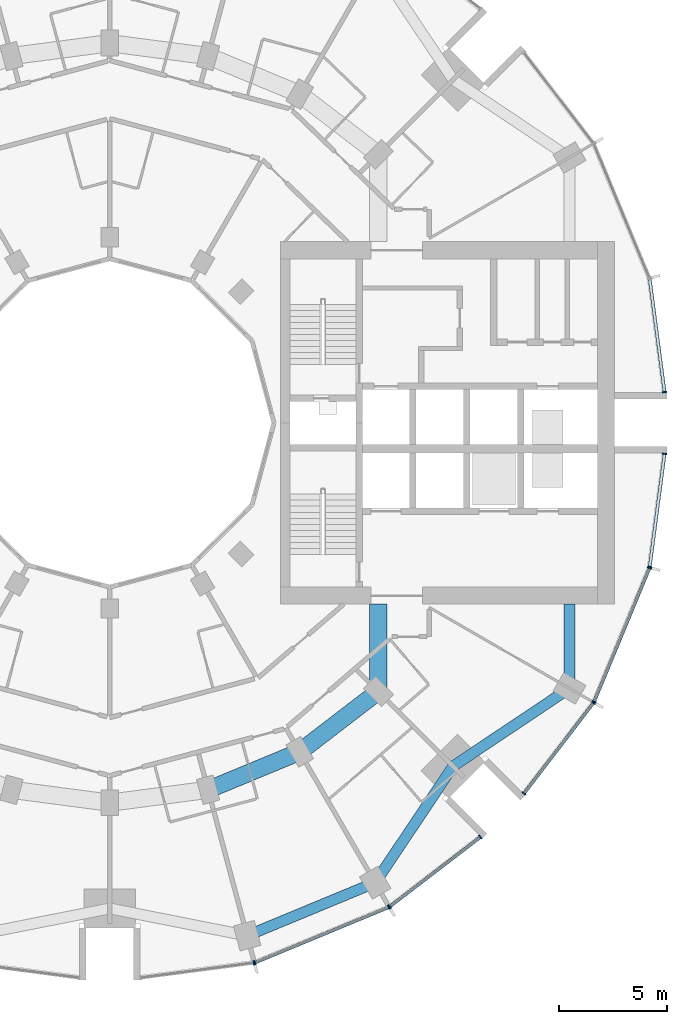
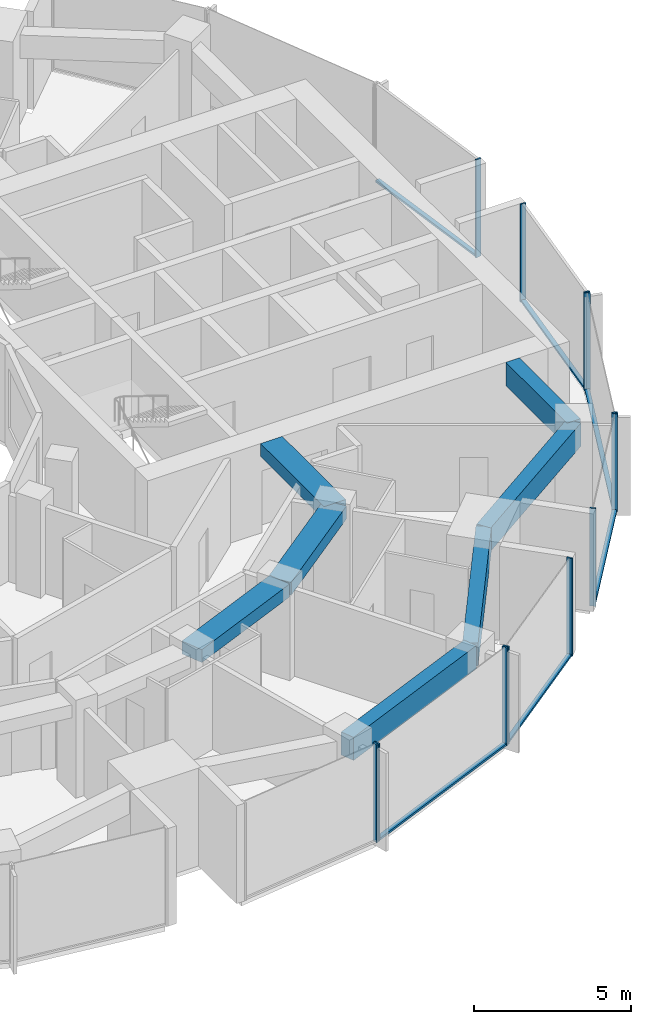
# One storey, part 4 of 15: 18 members, 7 beams, 7 elements without a shape of their own.
"""IFC4 building model written with IfcOpenShell, lengths in metres."""

from ifc_helpers import new_model, si_unit, direction, frame, origin, origin_2d, place, context, subcontext, project, spatial, rectangle, extrude, material, layer, layer_set, material_profile, profile_set, type_object, element, aggregate, save


model = new_model("IFC4")

# Units and contexts
model_context = context("Model", 3, precision=1e-05, world=origin(), true_north=direction((0.0, 1.0)))
body_context = subcontext(model_context, "Body", "Model", "MODEL_VIEW")
ifc_project = project(units=[si_unit("LENGTHUNIT", "METRE"), si_unit("AREAUNIT", "SQUARE_METRE"), si_unit("VOLUMEUNIT", "CUBIC_METRE"), si_unit("PLANEANGLEUNIT", "RADIAN"), si_unit("MASSUNIT", "GRAM", prefix="KILO")], contexts=[model_context])

# Site, building, storey
site_placement = place(None, origin())
site = spatial("IfcSite", under=ifc_project, at=site_placement, CompositionType="ELEMENT")
building_placement = place(site_placement, origin())
building = spatial("IfcBuilding", under=site, at=building_placement, Name="Torre Brocal", CompositionType="ELEMENT")
storey_placement = place(building_placement, frame((0.0, 0.0, 32.60009765625)))
storey = spatial("IfcBuildingStorey", under=building, at=storey_placement, Name="L06", CompositionType="ELEMENT", Elevation=32.60009765625)

# Curtain wall, member
ifc_material_1 = material(Name="Aluminium and glass", Category="aluminium")
ifc_layer_1 = layer(ifc_material_1, 0.199951171875)
ifc_layer_set_1 = layer_set([ifc_layer_1], Name="Aluminium and glass")
curtain_wall_type_1 = type_object("IfcCurtainWallType", Name="CW-1 CURTAIN WALL 3800 HIGH", PredefinedType="NOTDEFINED", material=ifc_layer_set_1)
curtain_wall_1_placement = place(storey_placement, origin())
curtain_wall_1 = element("IfcCurtainWall", 1, at=curtain_wall_1_placement, inside=storey, type_object=curtain_wall_type_1, Name="CW-1 RUN 19", PredefinedType="NOTDEFINED")
ifc_material_2 = material(Name="Aluminium, dark anodised", Category="aluminium")
ifc_material_profile_1 = material_profile(ifc_material_2, rectangle(XDim=0.199951171875, YDim=0.06005859375, at=origin_2d()), Name="CW-1 MULLION 60X200")
ifc_profile_set_1 = profile_set([ifc_material_profile_1], Name="Aluminium, dark anodised")
member_type_1 = type_object("IfcMemberType", Name="CW-1 MULLION 60X200", PredefinedType="MULLION", material=ifc_profile_set_1)
member_1_placement = place(storey_placement, frame((86.67333984375, 49.9794921875, 0.0), z_axis=(0.0, 0.0, 1.0), x_axis=(-0.13052619222, 0.991444861374, 0.0)))
member_1 = element("IfcMember", 2, at=member_1_placement, type_object=member_type_1, Name="CW1-1 mullion 2", PredefinedType="MULLION", context=body_context, shape_type="SweptSolid", body=[
    extrude(rectangle(XDim=0.199951171875, YDim=0.06005859375, at=origin_2d()), origin(), (0.0, 0.0, 1.0), 3.7998046875),
])
aggregate(curtain_wall_1, [member_1])

# Curtain wall, members
curtain_wall_2_placement = place(storey_placement, origin())
curtain_wall_2 = element("IfcCurtainWall", 3, at=curtain_wall_2_placement, inside=storey, type_object=curtain_wall_type_1, Name="CW-1 RUN 20", PredefinedType="NOTDEFINED")
member_2_placement = place(storey_placement, frame((86.73095703125, 49.994873046875, 0.0), z_axis=(0.0, 0.0, 1.0), x_axis=(-0.382683432333, 0.923879532525, 0.0)))
member_2 = element("IfcMember", 4, at=member_2_placement, type_object=member_type_1, Name="CW1-1 mullion 1", PredefinedType="MULLION", context=body_context, shape_type="SweptSolid", body=[
    extrude(rectangle(XDim=0.199951171875, YDim=0.06005859375, at=origin_2d()), origin(), (0.0, 0.0, 1.0), 3.7998046875),
])
member_3_placement = place(storey_placement, frame((92.921875, 52.559326171875, 0.0), z_axis=(0.0, 0.0, 1.0), x_axis=(-0.382683432333, 0.923879532525, 0.0)))
member_3 = element("IfcMember", 5, at=member_3_placement, type_object=member_type_1, Name="CW1-1 mullion 2", PredefinedType="MULLION", context=body_context, shape_type="SweptSolid", body=[
    extrude(rectangle(XDim=0.199951171875, YDim=0.06005859375, at=origin_2d()), origin(), (0.0, 0.0, 1.0), 3.7998046875),
])

curtain_wall_3_placement = place(storey_placement, origin())
curtain_wall_3 = element("IfcCurtainWall", 6, at=curtain_wall_3_placement, inside=storey, type_object=curtain_wall_type_1, Name="CW-1 RUN 21", PredefinedType="NOTDEFINED")
member_4_placement = place(storey_placement, frame((92.973388671875, 52.5888671875, 0.0), z_axis=(0.0, 0.0, 1.0), x_axis=(-0.60876142905, 0.793353340259, 0.0)))
member_4 = element("IfcMember", 7, at=member_4_placement, type_object=member_type_1, Name="CW1-1 mullion 1", PredefinedType="MULLION", context=body_context, shape_type="SweptSolid", body=[
    extrude(rectangle(XDim=0.199951171875, YDim=0.06005859375, at=origin_2d()), origin(), (0.0, 0.0, 1.0), 3.7998046875),
])
member_5_placement = place(storey_placement, frame((97.16943359375, 55.80859375, 0.0), z_axis=(0.0, 0.0, 1.0), x_axis=(-0.60876142905, 0.793353340259, 0.0)))
member_5 = element("IfcMember", 8, at=member_5_placement, type_object=member_type_1, Name="CW1-1 mullion 2", PredefinedType="MULLION", context=body_context, shape_type="SweptSolid", body=[
    extrude(rectangle(XDim=0.199951171875, YDim=0.06005859375, at=origin_2d()), origin(), (0.0, 0.0, 1.0), 3.7998046875),
])

curtain_wall_4_placement = place(storey_placement, origin())
curtain_wall_4 = element("IfcCurtainWall", 9, at=curtain_wall_4_placement, inside=storey, type_object=curtain_wall_type_1, Name="CW-1 RUN 22", PredefinedType="NOTDEFINED")
member_6_placement = place(storey_placement, frame((99.19140625, 57.83056640625, 0.0), z_axis=(0.0, 0.0, 1.0), x_axis=(-0.793353340259, 0.60876142905, 0.0)))
member_6 = element("IfcMember", 10, at=member_6_placement, type_object=member_type_1, Name="CW1-1 mullion 1", PredefinedType="MULLION", context=body_context, shape_type="SweptSolid", body=[
    extrude(rectangle(XDim=0.199951171875, YDim=0.06005859375, at=origin_2d()), origin(), (0.0, 0.0, 1.0), 3.7998046875),
])
member_7_placement = place(storey_placement, frame((102.4111328125, 62.026611328125, 0.0), z_axis=(0.0, 0.0, 1.0), x_axis=(-0.793353340259, 0.60876142905, 0.0)))
member_7 = element("IfcMember", 11, at=member_7_placement, type_object=member_type_1, Name="CW1-1 mullion 2", PredefinedType="MULLION", context=body_context, shape_type="SweptSolid", body=[
    extrude(rectangle(XDim=0.199951171875, YDim=0.06005859375, at=origin_2d()), origin(), (0.0, 0.0, 1.0), 3.7998046875),
])

curtain_wall_5_placement = place(storey_placement, origin())
curtain_wall_5 = element("IfcCurtainWall", 12, at=curtain_wall_5_placement, inside=storey, type_object=curtain_wall_type_1, Name="CW-1 RUN 23", PredefinedType="NOTDEFINED")
member_8_placement = place(storey_placement, frame((102.440673828125, 62.078125, 0.0), z_axis=(0.0, 0.0, 1.0), x_axis=(-0.923879532525, 0.382683432333, 0.0)))
member_8 = element("IfcMember", 13, at=member_8_placement, type_object=member_type_1, Name="CW1-1 mullion 1", PredefinedType="MULLION", context=body_context, shape_type="SweptSolid", body=[
    extrude(rectangle(XDim=0.199951171875, YDim=0.06005859375, at=origin_2d()), origin(), (0.0, 0.0, 1.0), 3.7998046875),
])
member_9_placement = place(storey_placement, frame((105.005126953125, 68.26904296875, 0.0), z_axis=(0.0, 0.0, 1.0), x_axis=(-0.923879532525, 0.382683432333, 0.0)))
member_9 = element("IfcMember", 14, at=member_9_placement, type_object=member_type_1, Name="CW1-1 mullion 2", PredefinedType="MULLION", context=body_context, shape_type="SweptSolid", body=[
    extrude(rectangle(XDim=0.199951171875, YDim=0.06005859375, at=origin_2d()), origin(), (0.0, 0.0, 1.0), 3.7998046875),
])

# Member
ifc_material_3 = material(Name="Aluminium, dark anodised", Category="aluminium")
ifc_material_profile_2 = material_profile(ifc_material_3, rectangle(XDim=0.159912109375, YDim=0.080078125, at=origin_2d()), Name="CW-1 TRANSOM 160X80")
ifc_profile_set_2 = profile_set([ifc_material_profile_2], Name="Aluminium, dark anodised")
member_type_2 = type_object("IfcMemberType", Name="CW-1 TRANSOM 160X80", PredefinedType="USERDEFINED", material=ifc_profile_set_2)
member_10_placement = place(storey_placement, frame((86.758544921875, 50.00634765625, 0.039794921875), z_axis=(0.923887344364, 0.38266457234, 0.0), x_axis=(-0.38266457234, 0.923887344364, 0.0)))
member_10 = element("IfcMember", 15, at=member_10_placement, type_object=member_type_2, Name="CW1-1 transom 1.1", ObjectType="TRANSOM", PredefinedType="USERDEFINED", context=body_context, shape_type="SweptSolid", body=[
    extrude(rectangle(XDim=0.159912109375, YDim=0.080078125, at=origin_2d()), origin(), (0.0, 0.0, 1.0), 6.640869140625),
])

aggregate(curtain_wall_2, [member_2, member_3, member_10])

member_11_placement = place(storey_placement, frame((92.9970703125, 52.607177734375, 0.039794921875), z_axis=(0.79336281513, 0.60874908096, 0.0), x_axis=(-0.60874908096, 0.79336281513, 0.0)))
member_11 = element("IfcMember", 16, at=member_11_placement, type_object=member_type_2, Name="CW1-1 transom 1.1", ObjectType="TRANSOM", PredefinedType="USERDEFINED", context=body_context, shape_type="SweptSolid", body=[
    extrude(rectangle(XDim=0.159912109375, YDim=0.080078125, at=origin_2d()), origin(), (0.0, 0.0, 1.0), 5.22900390625),
])

aggregate(curtain_wall_3, [member_4, member_5, member_11])

member_12_placement = place(storey_placement, frame((99.209716796875, 57.8544921875, 0.039794921875), z_axis=(0.60874908096, 0.79336281513, 0.0), x_axis=(-0.79336281513, 0.60874908096, 0.0)))
member_12 = element("IfcMember", 17, at=member_12_placement, type_object=member_type_2, Name="CW1-1 transom 1.1", ObjectType="TRANSOM", PredefinedType="USERDEFINED", context=body_context, shape_type="SweptSolid", body=[
    extrude(rectangle(XDim=0.159912109375, YDim=0.080078125, at=origin_2d()), origin(), (0.0, 0.0, 1.0), 5.22900390625),
])

aggregate(curtain_wall_4, [member_6, member_7, member_12])

member_13_placement = place(storey_placement, frame((102.452392578125, 62.10595703125, 0.039794921875), z_axis=(0.38266457234, 0.923887344364, 0.0), x_axis=(-0.923887344364, 0.38266457234, 0.0)))
member_13 = element("IfcMember", 18, at=member_13_placement, type_object=member_type_2, Name="CW1-1 transom 1.1", ObjectType="TRANSOM", PredefinedType="USERDEFINED", context=body_context, shape_type="SweptSolid", body=[
    extrude(rectangle(XDim=0.159912109375, YDim=0.080078125, at=origin_2d()), origin(), (0.0, 0.0, 1.0), 6.640869140625),
])

aggregate(curtain_wall_5, [member_8, member_9, member_13])

# Curtain wall, member
ifc_material_4 = material(Name="Aluminium and glass", Category="aluminium")
ifc_layer_2 = layer(ifc_material_4, 0.199951171875)
ifc_layer_set_2 = layer_set([ifc_layer_2], Name="Aluminium and glass")
curtain_wall_type_2 = type_object("IfcCurtainWallType", Name="CW-1B CURTAIN WALL 3800 HIGH", PredefinedType="NOTDEFINED", material=ifc_layer_set_2)
curtain_wall_6_placement = place(storey_placement, origin())
curtain_wall_6 = element("IfcCurtainWall", 19, at=curtain_wall_6_placement, inside=storey, type_object=curtain_wall_type_2, Name="CW-1B RUN 1", PredefinedType="NOTDEFINED")
ifc_material_5 = material(Name="Aluminium, dark anodised", Category="aluminium")
ifc_material_profile_3 = material_profile(ifc_material_5, rectangle(XDim=0.199951171875, YDim=0.06005859375, at=origin_2d()), Name="CW-1B MULLION 60X200")
ifc_profile_set_3 = profile_set([ifc_material_profile_3], Name="Aluminium, dark anodised")
member_type_3 = type_object("IfcMemberType", Name="CW-1B MULLION 60X200", PredefinedType="MULLION", material=ifc_profile_set_3)
member_14_placement = place(storey_placement, frame((105.7109375, 76.4296875, 0.0), z_axis=(0.0, 0.0, 1.0), x_axis=(-0.991444861374, -0.13052619222, 0.0)))
member_14 = element("IfcMember", 20, at=member_14_placement, type_object=member_type_3, Name="CW1B-1 mullion 1", PredefinedType="MULLION", context=body_context, shape_type="SweptSolid", body=[
    extrude(rectangle(XDim=0.199951171875, YDim=0.06005859375, at=origin_2d()), origin(), (0.0, 0.0, 1.0), 3.7998046875),
])

# Curtain wall, members
curtain_wall_7_placement = place(storey_placement, origin())
curtain_wall_7 = element("IfcCurtainWall", 21, at=curtain_wall_7_placement, inside=storey, type_object=curtain_wall_type_2, Name="CW-1B RUN 24", PredefinedType="NOTDEFINED")
member_15_placement = place(storey_placement, frame((105.0205078125, 68.32666015625, 0.0), z_axis=(0.0, 0.0, 1.0), x_axis=(-0.991444861374, 0.13052619222, 0.0)))
member_15 = element("IfcMember", 22, at=member_15_placement, type_object=member_type_3, Name="CW1B-1 mullion 1", PredefinedType="MULLION", context=body_context, shape_type="SweptSolid", body=[
    extrude(rectangle(XDim=0.199951171875, YDim=0.06005859375, at=origin_2d()), origin(), (0.0, 0.0, 1.0), 3.7998046875),
])
member_16_placement = place(storey_placement, frame((105.7109375, 73.5703125, 0.0), z_axis=(0.0, 0.0, 1.0), x_axis=(-0.991444861374, 0.13052619222, 0.0)))
member_16 = element("IfcMember", 23, at=member_16_placement, type_object=member_type_3, Name="CW1B-1 mullion 2", PredefinedType="MULLION", context=body_context, shape_type="SweptSolid", body=[
    extrude(rectangle(XDim=0.199951171875, YDim=0.06005859375, at=origin_2d()), origin(), (0.0, 0.0, 1.0), 3.7998046875),
])

# Member
ifc_material_6 = material(Name="Aluminium, dark anodised", Category="aluminium")
ifc_material_profile_4 = material_profile(ifc_material_6, rectangle(XDim=0.159912109375, YDim=0.080078125, at=origin_2d()), Name="CW-1B TRANSOM 160X80")
ifc_profile_set_4 = profile_set([ifc_material_profile_4], Name="Aluminium, dark anodised")
member_type_4 = type_object("IfcMemberType", Name="CW-1B TRANSOM 160X80", PredefinedType="USERDEFINED", material=ifc_profile_set_4)
member_17_placement = place(storey_placement, frame((105.70703125, 76.45947265625, 0.039794921875), z_axis=(-0.130542677827, 0.991442690863, 0.0), x_axis=(-0.991442690863, -0.130542677827, 0.0)))
member_17 = element("IfcMember", 24, at=member_17_placement, type_object=member_type_4, Name="CW1B-1 transom 1.1", ObjectType="TRANSOM", PredefinedType="USERDEFINED", context=body_context, shape_type="SweptSolid", body=[
    extrude(rectangle(XDim=0.159912109375, YDim=0.080078125, at=origin_2d()), origin(), (0.0, 0.0, 1.0), 5.22900390625),
])

aggregate(curtain_wall_6, [member_14, member_17])

member_18_placement = place(storey_placement, frame((105.0244140625, 68.356201171875, 0.039794921875), z_axis=(0.130542677827, 0.991442690863, 0.0), x_axis=(-0.991442690863, 0.130542677827, 0.0)))
member_18 = element("IfcMember", 25, at=member_18_placement, type_object=member_type_4, Name="CW1B-1 transom 1.1", ObjectType="TRANSOM", PredefinedType="USERDEFINED", context=body_context, shape_type="SweptSolid", body=[
    extrude(rectangle(XDim=0.159912109375, YDim=0.080078125, at=origin_2d()), origin(), (0.0, 0.0, 1.0), 5.22900390625),
])

aggregate(curtain_wall_7, [member_15, member_16, member_18])

# Beams
ifc_material_7 = material(Name="Concrete C50", Category="concrete")
ifc_material_profile_5 = material_profile(ifc_material_7, rectangle(XDim=0.800048828125, YDim=0.5, at=origin_2d()), Name="RC 800X500")
ifc_profile_set_5 = profile_set([ifc_material_profile_5], Name="Concrete C50")
beam_type_1 = type_object("IfcBeamType", Name="RC BEAM 800X500 C50 TOP 3480", PredefinedType="BEAM", material=ifc_profile_set_5)
beam_1_placement = place(storey_placement, frame((84.55517578125, 57.999755859375, 3.22998046875), z_axis=(0.923878240166, 0.382686552348, 0.0), x_axis=(-0.382686552348, 0.923878240166, 0.0)))
element("IfcBeam", 26, at=beam_1_placement, inside=storey, type_object=beam_type_1, Name="Beam BT-19", PredefinedType="BEAM", context=body_context, shape_type="SweptSolid", body=[
    extrude(rectangle(XDim=0.800048828125, YDim=0.5, at=origin_2d()), origin(), (0.0, 0.0, 1.0), 4.5947265625),
])
beam_2_placement = place(storey_placement, frame((88.800048828125, 59.758056640625, 3.22998046875), z_axis=(0.793358265959, 0.6087550097, 0.0), x_axis=(-0.6087550097, 0.793358265959, 0.0)))
element("IfcBeam", 27, at=beam_2_placement, inside=storey, type_object=beam_type_1, Name="Beam BT-19", PredefinedType="BEAM", context=body_context, shape_type="SweptSolid", body=[
    extrude(rectangle(XDim=0.800048828125, YDim=0.5, at=origin_2d()), origin(), (0.0, 0.0, 1.0), 4.594482421875),
])
beam_3_placement = place(storey_placement, frame((92.445068359375, 62.554931640625, 3.22998046875), z_axis=(0.0, 1.0, 0.0), x_axis=(-1.0, 0.0, 0.0)))
element("IfcBeam", 28, at=beam_3_placement, inside=storey, type_object=beam_type_1, Name="Beam BT-19", PredefinedType="BEAM", context=body_context, shape_type="SweptSolid", body=[
    extrude(rectangle(XDim=0.800048828125, YDim=0.5, at=origin_2d()), origin(), (0.0, 0.0, 1.0), 4.045166015625),
])
ifc_material_8 = material(Name="Concrete C50", Category="concrete")
ifc_material_profile_6 = material_profile(ifc_material_8, rectangle(XDim=0.5, YDim=0.89990234375, at=origin_2d()), Name="RC 500X900")
ifc_profile_set_6 = profile_set([ifc_material_profile_6], Name="Concrete C50")
beam_type_2 = type_object("IfcBeamType", Name="RC SPANDREL BEAM 500X900 C50 TOP 3480", PredefinedType="SPANDREL", material=ifc_profile_set_6)
beam_4_placement = place(storey_placement, frame((86.366943359375, 51.23828125, 3.02978515625), z_axis=(0.923882462513, 0.382676358639, 0.0), x_axis=(-0.382676358639, 0.923882462513, 0.0)))
element("IfcBeam", 29, at=beam_4_placement, inside=storey, type_object=beam_type_2, Name="Beam BT-20", PredefinedType="SPANDREL", context=body_context, shape_type="SweptSolid", body=[
    extrude(rectangle(XDim=0.5, YDim=0.89990234375, at=origin_2d()), origin(), (0.0, 0.0, 1.0), 6.421875),
])
for number, where, z_axis, x_axis, name in (
    (30, (92.300048828125, 53.69580078125, 3.02978515625), (0.556157602282, 0.831076844476, 0.0), (-0.831076844476, 0.556157602282, 0.0), "Beam BT-20"),
    (31, (95.909912109375, 59.090087890625, 3.02978515625), (0.831076844476, 0.556157602282, 0.0), (-0.556157602282, 0.831076844476, 0.0), "Beam BT-20"),
):
    element("IfcBeam", number, at=place(storey_placement, frame(where, z_axis=z_axis, x_axis=x_axis)), inside=storey, type_object=beam_type_2, Name=name, PredefinedType="SPANDREL", context=body_context, shape_type="SweptSolid", body=[
        extrude(rectangle(XDim=0.5, YDim=0.89990234375, at=origin_2d()), origin(), (0.0, 0.0, 1.0), 6.49072265625),
    ])
beam_5_placement = place(storey_placement, frame((101.30419921875, 62.699951171875, 3.02978515625), z_axis=(0.0, 1.0, 0.0), x_axis=(-1.0, 0.0, 0.0)))
element("IfcBeam", 32, at=beam_5_placement, inside=storey, type_object=beam_type_2, Name="Beam BT-20", PredefinedType="SPANDREL", context=body_context, shape_type="SweptSolid", body=[
    extrude(rectangle(XDim=0.5, YDim=0.89990234375, at=origin_2d()), origin(), (0.0, 0.0, 1.0), 3.900146484375),
])

save(model, "model.ifc")
